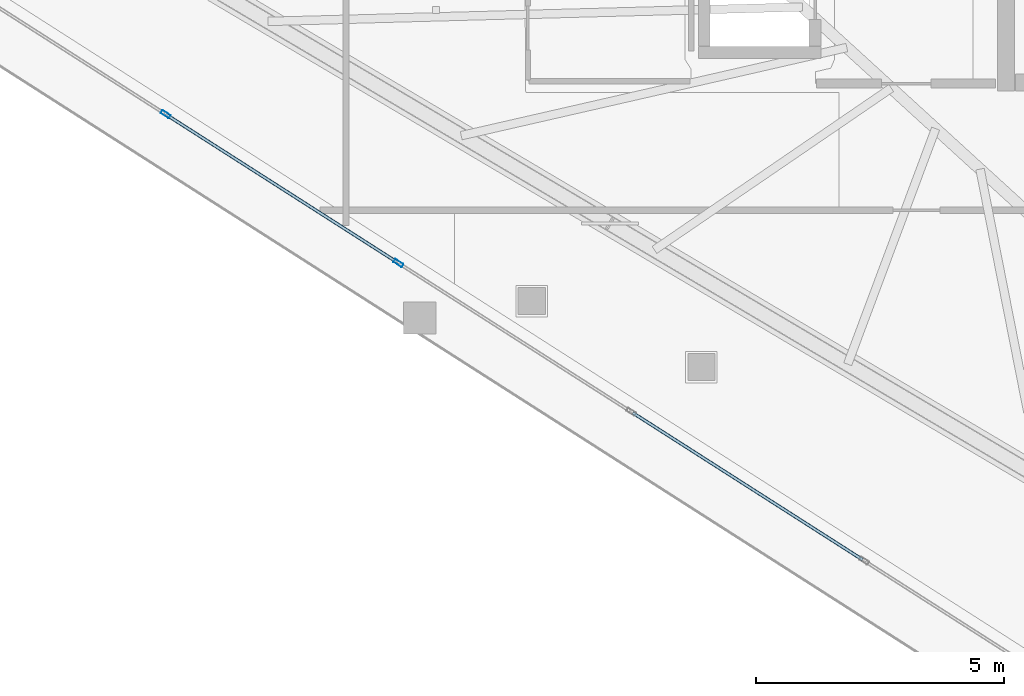
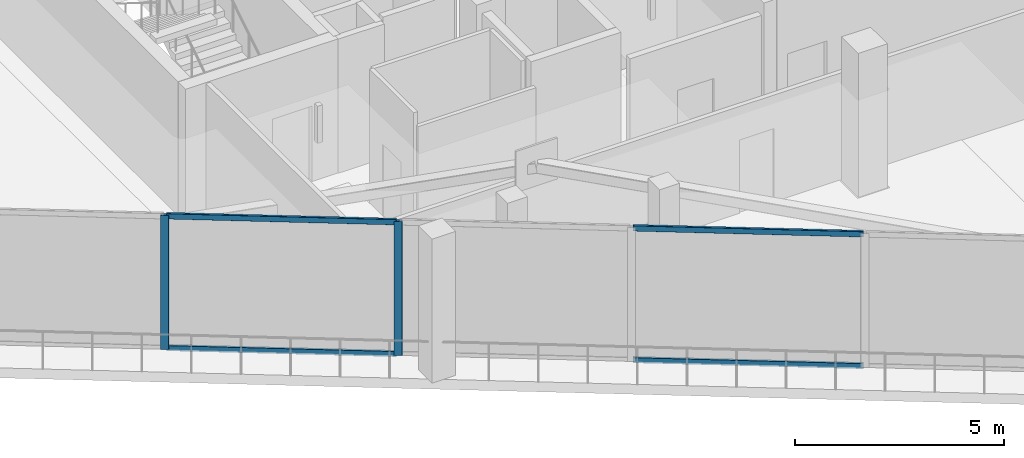
# One storey, part 2 of 34: 6 members, 1 element without a shape of its own.
"""IFC4 building model written with IfcOpenShell, lengths in metres."""

from ifc_helpers import new_model, si_unit, direction, frame, origin, origin_2d, place, context, subcontext, project, spatial, hollow_rectangle, extrude, material, layer, layer_set, material_profile, profile_set, type_object, element, aggregate, save


model = new_model("IFC4")

# Units and contexts
model_context = context("Model", 3, precision=1e-05, world=origin(), true_north=direction((0.0, 1.0)))
body_context = subcontext(model_context, "Body", "Model", "MODEL_VIEW")
ifc_project = project(units=[si_unit("LENGTHUNIT", "METRE"), si_unit("AREAUNIT", "SQUARE_METRE"), si_unit("VOLUMEUNIT", "CUBIC_METRE"), si_unit("PLANEANGLEUNIT", "RADIAN"), si_unit("MASSUNIT", "GRAM", prefix="KILO")], contexts=[model_context])

# Site, building, storey
site_placement = place(None, origin())
site = spatial("IfcSite", under=ifc_project, at=site_placement, CompositionType="ELEMENT")
building_placement = place(site_placement, origin())
building = spatial("IfcBuilding", under=site, at=building_placement, Name="Qorvath Tower", CompositionType="ELEMENT")
storey_placement = place(building_placement, frame((0.0, 0.0, 276.60009765625)))
storey = spatial("IfcBuildingStorey", under=building, at=storey_placement, Name="L64", CompositionType="ELEMENT", Elevation=276.60009765625)

# Curtain wall, members
ifc_material_1 = material(Name="Anodised aluminium and triple low-E glass", Category="aluminium")
ifc_layer = layer(ifc_material_1, 0.179931640625)
ifc_layer_set = layer_set([ifc_layer], Name="CW-SYS-4")
curtain_wall_type = type_object("IfcCurtainWallType", Name="CW-SYS-4", PredefinedType="NOTDEFINED", material=ifc_layer_set)
curtain_wall_placement = place(storey_placement, origin())
curtain_wall = element("IfcCurtainWall", 1, at=curtain_wall_placement, inside=storey, type_object=curtain_wall_type, Name="Curtain Wall CW-4 CW-T-L64-2.1", PredefinedType="NOTDEFINED")
ifc_material_2 = material(Name="Anodised aluminium 6063-T6", Category="aluminium")
ifc_material_profile_1 = material_profile(ifc_material_2, hollow_rectangle(XDim=0.074951171875, YDim=0.199951171875, WallThickness=0.00390625, InnerFilletRadius=0.00390625, OuterFilletRadius=0.008056640625, at=origin_2d()), Name="CWM 200x75")
ifc_profile_set_1 = profile_set([ifc_material_profile_1], Name="Anodised aluminium 6063-T6")
member_type_1 = type_object("IfcMemberType", Name="CWM-200", PredefinedType="MULLION", material=ifc_profile_set_1)
member_1_placement = place(storey_placement, frame((-41.5, -9.017822265625, 0.0), z_axis=(0.0, 0.0, 1.0), x_axis=(0.538533509281, 0.842604094093, 0.0)))
member_1 = element("IfcMember", 2, at=member_1_placement, type_object=member_type_1, Name="CW-4 mullion 3", PredefinedType="MULLION", context=body_context, shape_type="SweptSolid", body=[
    extrude(hollow_rectangle(XDim=0.074951171875, YDim=0.199951171875, WallThickness=0.00390625, InnerFilletRadius=0.00390625, OuterFilletRadius=0.008056640625, at=origin_2d()), origin(), (0.0, 0.0, 1.0), 3.909912109375),
])
member_2_placement = place(storey_placement, frame((-36.796630859375, -12.023681640625, 0.0), z_axis=(0.0, 0.0, 1.0), x_axis=(0.538533509281, 0.842604094093, 0.0)))
member_2 = element("IfcMember", 3, at=member_2_placement, type_object=member_type_1, Name="CW-4 mullion 4", PredefinedType="MULLION", context=body_context, shape_type="SweptSolid", body=[
    extrude(hollow_rectangle(XDim=0.074951171875, YDim=0.199951171875, WallThickness=0.00390625, InnerFilletRadius=0.00390625, OuterFilletRadius=0.008056640625, at=origin_2d()), origin(), (0.0, 0.0, 1.0), 3.909912109375),
])
ifc_material_3 = material(Name="Anodised aluminium 6063-T6", Category="aluminium")
ifc_material_profile_2 = material_profile(ifc_material_3, hollow_rectangle(XDim=0.06494140625, YDim=0.159912109375, WallThickness=0.00341796875, InnerFilletRadius=0.00341796875, OuterFilletRadius=0.007080078125, at=origin_2d()), Name="CWT 160x65")
ifc_profile_set_2 = profile_set([ifc_material_profile_2], Name="Anodised aluminium 6063-T6")
member_type_2 = type_object("IfcMemberType", Name="CWT-160", PredefinedType="USERDEFINED", material=ifc_profile_set_2)
member_3_placement = place(storey_placement, frame((-41.46826171875, -9.037841796875, 0.032470703125), z_axis=(0.842597346925, -0.538544065935, 0.0), x_axis=(0.538544065935, 0.842597346925, 0.0)))
member_3 = element("IfcMember", 4, at=member_3_placement, type_object=member_type_2, Name="CW-4 transom 3.1", ObjectType="TRANSOM", PredefinedType="USERDEFINED", context=body_context, shape_type="SweptSolid", body=[
    extrude(hollow_rectangle(XDim=0.06494140625, YDim=0.159912109375, WallThickness=0.00341796875, InnerFilletRadius=0.00341796875, OuterFilletRadius=0.007080078125, at=origin_2d()), origin(), (0.0, 0.0, 1.0), 5.506591796875),
])
member_4_placement = place(storey_placement, frame((-41.46826171875, -9.037841796875, 3.87744140625), z_axis=(0.842597346925, -0.538544065935, 0.0), x_axis=(0.538544065935, 0.842597346925, 0.0)))
member_4 = element("IfcMember", 5, at=member_4_placement, type_object=member_type_2, Name="CW-4 transom 3.2", ObjectType="TRANSOM", PredefinedType="USERDEFINED", context=body_context, shape_type="SweptSolid", body=[
    extrude(hollow_rectangle(XDim=0.06494140625, YDim=0.159912109375, WallThickness=0.00341796875, InnerFilletRadius=0.00341796875, OuterFilletRadius=0.007080078125, at=origin_2d()), origin(), (0.0, 0.0, 1.0), 5.506591796875),
])
member_5_placement = place(storey_placement, frame((-32.06201171875, -15.0498046875, 0.032470703125), z_axis=(0.842597346925, -0.538544065935, 0.0), x_axis=(0.538544065935, 0.842597346925, 0.0)))
member_5 = element("IfcMember", 6, at=member_5_placement, type_object=member_type_2, Name="CW-4 transom 5.1", ObjectType="TRANSOM", PredefinedType="USERDEFINED", context=body_context, shape_type="SweptSolid", body=[
    extrude(hollow_rectangle(XDim=0.06494140625, YDim=0.159912109375, WallThickness=0.00341796875, InnerFilletRadius=0.00341796875, OuterFilletRadius=0.007080078125, at=origin_2d()), origin(), (0.0, 0.0, 1.0), 5.506591796875),
])
member_6_placement = place(storey_placement, frame((-32.06201171875, -15.0498046875, 3.87744140625), z_axis=(0.842597346925, -0.538544065935, 0.0), x_axis=(0.538544065935, 0.842597346925, 0.0)))
member_6 = element("IfcMember", 7, at=member_6_placement, type_object=member_type_2, Name="CW-4 transom 5.2", ObjectType="TRANSOM", PredefinedType="USERDEFINED", context=body_context, shape_type="SweptSolid", body=[
    extrude(hollow_rectangle(XDim=0.06494140625, YDim=0.159912109375, WallThickness=0.00341796875, InnerFilletRadius=0.00341796875, OuterFilletRadius=0.007080078125, at=origin_2d()), origin(), (0.0, 0.0, 1.0), 5.506591796875),
])
aggregate(curtain_wall, [member_1, member_2, member_3, member_4, member_5, member_6])

save(model, "model.ifc")
